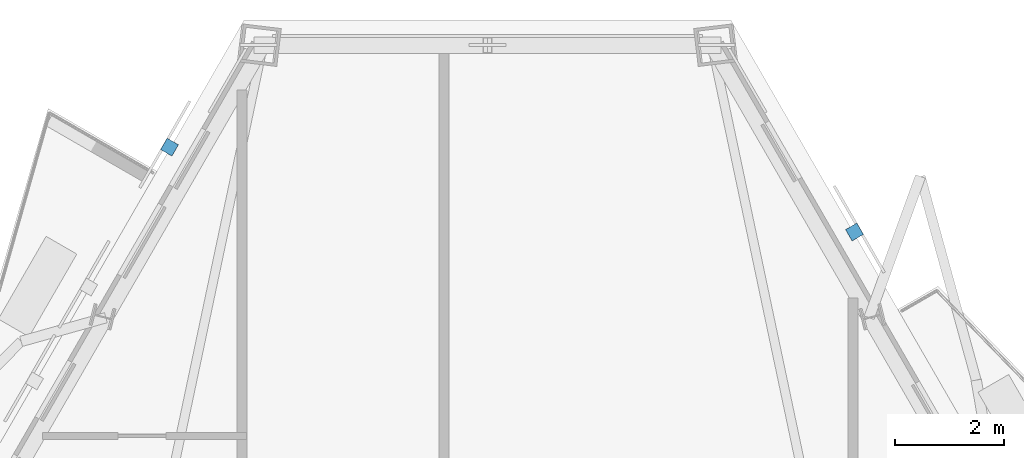
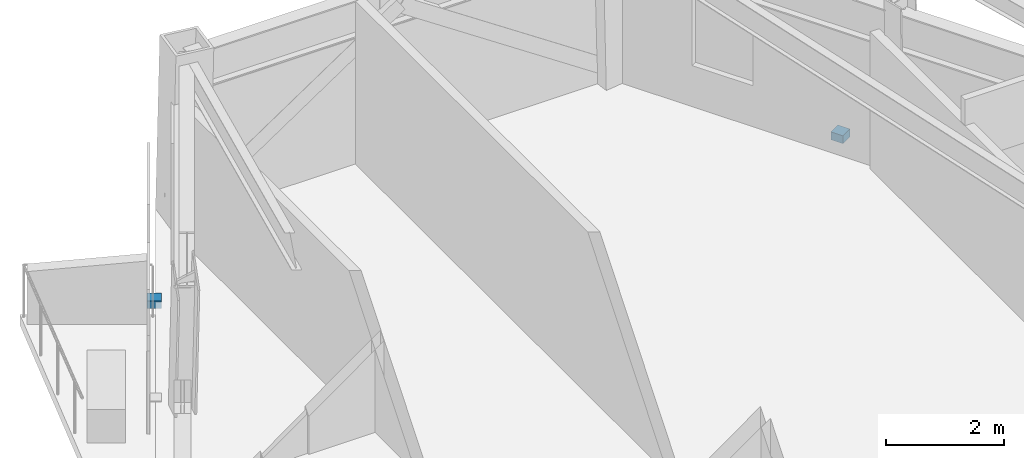
# One storey, part 6 of 9: 2 discrete accessories.
"""IFC4 building model written with IfcOpenShell, lengths in metres."""

from ifc_helpers import new_model, si_unit, direction, frame, origin, origin_2d, place, context, subcontext, project, spatial, rectangle, extrude, element, save


model = new_model("IFC4")

# Units and contexts
model_context = context("Model", 3, precision=1e-05, world=origin(), true_north=direction((0.0, 1.0)))
body_context = subcontext(model_context, "Body", "Model", "MODEL_VIEW")
ifc_project = project(units=[si_unit("LENGTHUNIT", "METRE"), si_unit("AREAUNIT", "SQUARE_METRE"), si_unit("VOLUMEUNIT", "CUBIC_METRE"), si_unit("PLANEANGLEUNIT", "RADIAN"), si_unit("MASSUNIT", "GRAM", prefix="KILO")], contexts=[model_context])

# Site, building, storey
site_placement = place(None, origin())
site = spatial("IfcSite", under=ifc_project, at=site_placement, CompositionType="ELEMENT")
building_placement = place(site_placement, origin())
building = spatial("IfcBuilding", under=site, at=building_placement, Name="Oramaril Tower", CompositionType="ELEMENT")
storey_placement = place(building_placement, frame((0.0, 0.0, 174.60009765625)))
storey = spatial("IfcBuildingStorey", under=building, at=storey_placement, Name="L46", CompositionType="ELEMENT", Elevation=174.60009765625)

# Discrete accessories
for number, where, z_axis, x_axis, name in (
    (1, (44.227294921875, 39.839599609375, -0.14013671875), (0.0, 0.0, 1.0), (-0.5, 0.866025403784, 0.0), "L46 Solar Screen Slab Bracket"),
    (2, (31.6708984375, 41.3955078125, -0.14013671875), (0.0, 0.0, 1.0), (-0.5, -0.866025403784, 0.0), "L46 Solar Screen Slab Bracket"),
):
    element("IfcDiscreteAccessory", number, at=place(storey_placement, frame(where, z_axis=z_axis, x_axis=x_axis)), inside=storey, Name=name, PredefinedType="BRACKET", context=body_context, shape_type="SweptSolid", body=[
        extrude(rectangle(XDim=0.239990234375, YDim=0.239990234375, at=origin_2d()), origin(), (0.0, 0.0, 1.0), 0.159912109375),
    ])

save(model, "model.ifc")
